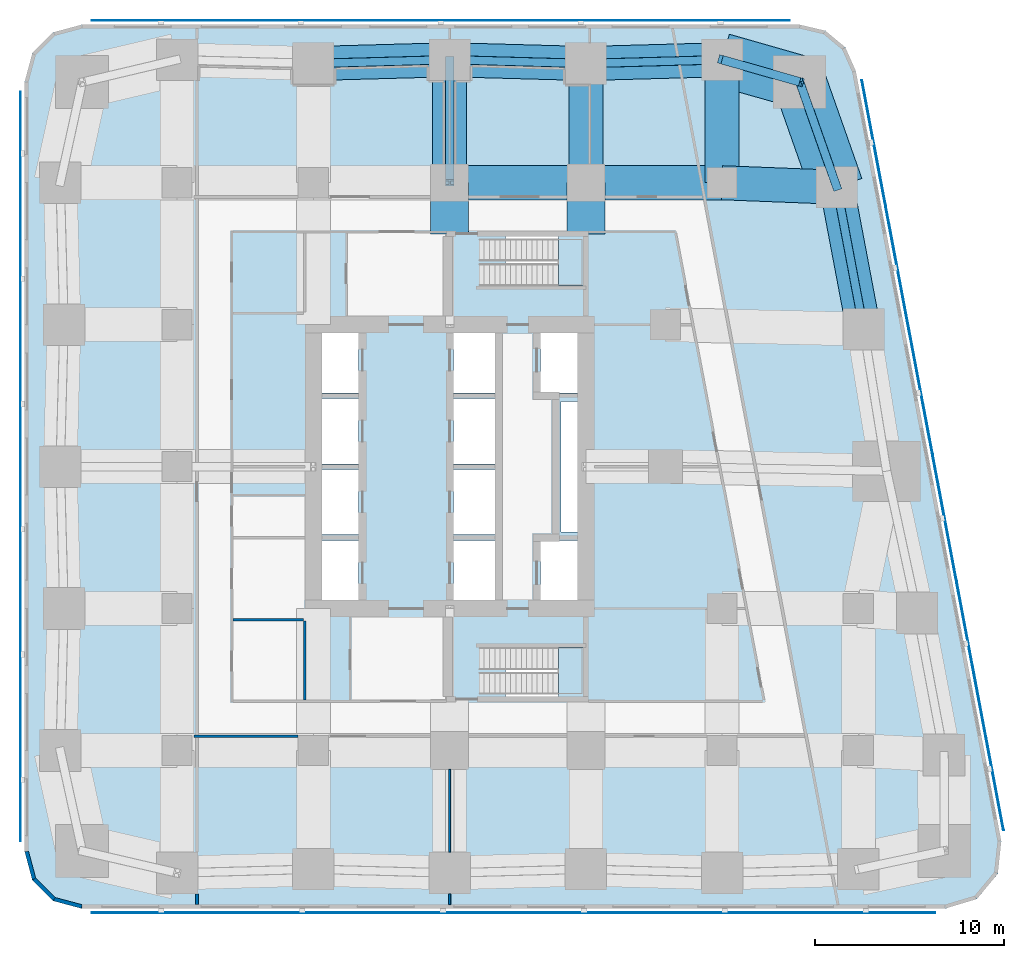
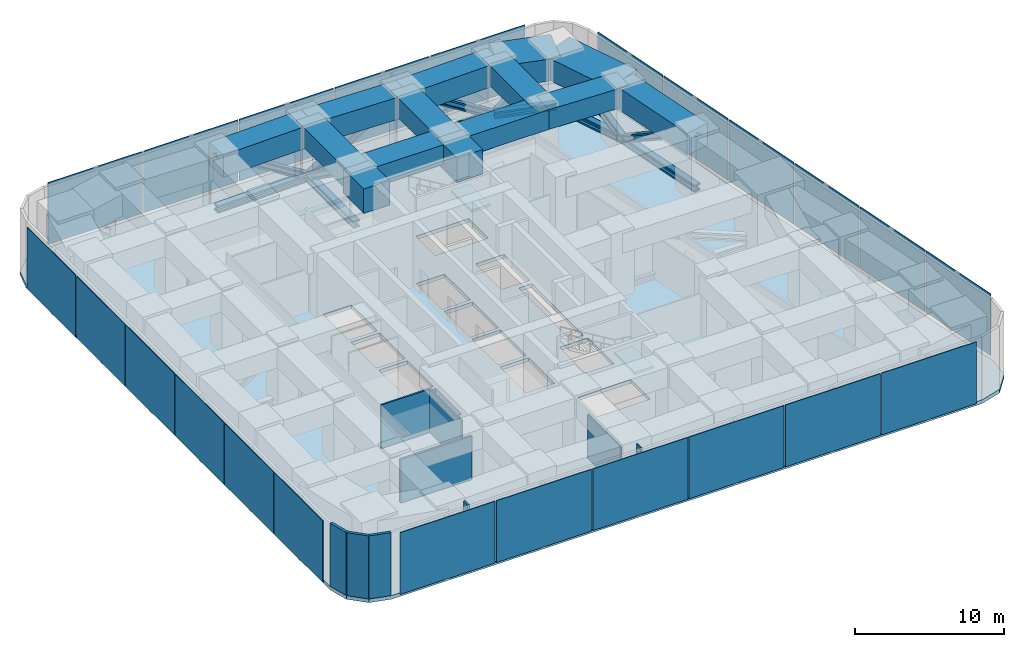
# One storey, part 3 of 10: 23 plates, 14 beams, 14 members, 9 walls, 3 slabs, 2 elements without a shape of their own.
"""IFC4 building model written with IfcOpenShell, lengths in metres."""

from ifc_helpers import new_model, si_unit, direction, frame, frame_2d, origin, origin_2d, place, context, subcontext, project, spatial, polyline, rectangle, i_section, outline, extrude, material, layer, layer_set, material_profile, profile_set, type_object, element, aggregate, save


model = new_model("IFC4")

# Units and contexts
model_context = context("Model", 3, precision=1e-05, world=origin(), true_north=direction((0.0, 1.0)))
body_context = subcontext(model_context, "Body", "Model", "MODEL_VIEW")
ifc_project = project(units=[si_unit("LENGTHUNIT", "METRE"), si_unit("AREAUNIT", "SQUARE_METRE"), si_unit("VOLUMEUNIT", "CUBIC_METRE"), si_unit("PLANEANGLEUNIT", "RADIAN"), si_unit("MASSUNIT", "GRAM", prefix="KILO")], contexts=[model_context])

# Site, building, storey
site_placement = place(None, origin())
site = spatial("IfcSite", under=ifc_project, at=site_placement, CompositionType="ELEMENT")
building_placement = place(site_placement, origin())
building = spatial("IfcBuilding", under=site, at=building_placement, Name="Sheger Commons Tower", CompositionType="ELEMENT")
storey_placement = place(building_placement, frame((0.0, 0.0, 130.39990234375)))
storey = spatial("IfcBuildingStorey", under=building, at=storey_placement, Name="L33", CompositionType="ELEMENT", Elevation=130.39990234375)

# Beams
ifc_material_1 = material(Name="Concrete C50/60", Category="concrete")
ifc_material_profile_1 = material_profile(ifc_material_1, rectangle(XDim=1.800048828125, YDim=1.60009765625, at=origin_2d()), Name="RC 1800x1600")
ifc_profile_set_1 = profile_set([ifc_material_profile_1], Name="Concrete C50/60")
beam_type_1 = type_object("IfcBeamType", Name="BEAM RC 1800x1600", PredefinedType="BEAM", material=ifc_profile_set_1)
for number, where, z_axis, x_axis, name in (
    (1, (21.60009765625, 37.5, 4.35009765625), (1.0, 0.0, 0.0), (0.0, 1.0, 0.0), "Beam 4/F-5/F under L34"),
    (2, (28.800048828125, 37.5, 4.35009765625), (1.0, 0.0, 0.0), (0.0, 1.0, 0.0), "Beam 5/F-6/F under L34"),
):
    element("IfcBeam", number, at=place(storey_placement, frame(where, z_axis=z_axis, x_axis=x_axis)), inside=storey, type_object=beam_type_1, Name=name, PredefinedType="BEAM", context=body_context, shape_type="SweptSolid", body=[
        extrude(rectangle(XDim=1.800048828125, YDim=1.60009765625, at=origin_2d()), origin(), (0.0, 0.0, 1.0), 7.199951171875),
    ])
beam_1_placement = place(storey_placement, frame((36.0, 37.5, 4.35009765625), z_axis=(0.99923673074, -0.039063486011, 0.0), x_axis=(0.039063486011, 0.99923673074, 0.0)))
element("IfcBeam", 3, at=beam_1_placement, inside=storey, type_object=beam_type_1, Name="Beam 6/F-E/F under L34", PredefinedType="BEAM", context=body_context, shape_type="SweptSolid", body=[
    extrude(rectangle(XDim=1.800048828125, YDim=1.60009765625, at=origin_2d()), origin(), (0.0, 0.0, 1.0), 6.068603515625),
])
beam_2_placement = place(storey_placement, frame((21.60009765625, 37.5, 4.35009765625), z_axis=(0.0, 1.0, 0.0), x_axis=(-1.0, 0.0, 0.0)))
element("IfcBeam", 4, at=beam_2_placement, inside=storey, type_object=beam_type_1, Name="Beam 4/F-4/G under L34", PredefinedType="BEAM", context=body_context, shape_type="SweptSolid", body=[
    extrude(rectangle(XDim=1.800048828125, YDim=1.60009765625, at=origin_2d()), origin(), (0.0, 0.0, 1.0), 6.5),
])
beam_3_placement = place(storey_placement, frame((28.800048828125, 37.5, 4.35009765625), z_axis=(0.0, 1.0, 0.0), x_axis=(-1.0, 0.0, 0.0)))
element("IfcBeam", 5, at=beam_3_placement, inside=storey, type_object=beam_type_1, Name="Beam 5/F-5/G under L34", PredefinedType="BEAM", context=body_context, shape_type="SweptSolid", body=[
    extrude(rectangle(XDim=1.800048828125, YDim=1.60009765625, at=origin_2d()), origin(), (0.0, 0.0, 1.0), 6.300048828125),
])
beam_4_placement = place(storey_placement, frame((36.0, 37.5, 4.35009765625), z_axis=(0.0, 1.0, 0.0), x_axis=(-1.0, 0.0, 0.0)))
element("IfcBeam", 6, at=beam_4_placement, inside=storey, type_object=beam_type_1, Name="Beam 6/F-6/G under L34", PredefinedType="BEAM", context=body_context, shape_type="SweptSolid", body=[
    extrude(rectangle(XDim=1.800048828125, YDim=1.60009765625, at=origin_2d()), origin(), (0.0, 0.0, 1.0), 6.5),
])
ifc_material_2 = material(Name="Concrete C50/60", Category="concrete")
ifc_material_profile_2 = material_profile(ifc_material_2, rectangle(XDim=2.0, YDim=2.0, at=origin_2d()), Name="RC 2000x2000")
ifc_profile_set_2 = profile_set([ifc_material_profile_2], Name="Concrete C50/60")
beam_type_2 = type_object("IfcBeamType", Name="BEAM RC 2000x2000", PredefinedType="BEAM", material=ifc_profile_set_2)
for number, where, z_axis, x_axis, name in (
    (7, (21.60009765625, 34.800048828125, 4.150146484375), (0.0, 1.0, 0.0), (-1.0, 0.0, 0.0), "Beam 21.600,34.800-4/F under L34"),
    (8, (28.800048828125, 34.800048828125, 4.150146484375), (0.0, 1.0, 0.0), (-1.0, 0.0, 0.0), "Beam 28.800,34.800-5/F under L34"),
):
    element("IfcBeam", number, at=place(storey_placement, frame(where, z_axis=z_axis, x_axis=x_axis)), inside=storey, type_object=beam_type_2, Name=name, PredefinedType="BEAM", context=body_context, shape_type="SweptSolid", body=[
        extrude(rectangle(XDim=2.0, YDim=2.0, at=origin_2d()), origin(), (0.0, 0.0, 1.0), 2.699951171875),
    ])

# Members
ifc_material_3 = material(Name="Steel S460", Category="steel")
ifc_material_profile_3 = material_profile(ifc_material_3, i_section(OverallWidth=0.4541015625, OverallDepth=0.569091796875, WebThickness=0.077880859375, FlangeThickness=0.125, at=origin_2d()), Name="HD 400x1086")
ifc_profile_set_3 = profile_set([ifc_material_profile_3], Name="Steel S460")
member_type_1 = type_object("IfcMemberType", Name="BRACE HD 400x1086", PredefinedType="BRACE", material=ifc_profile_set_3)
member_1_placement = place(storey_placement, frame((21.60009765625, 37.5, 4.85009765625), z_axis=(0.0, 0.819229029338, -0.5734664746), x_axis=(-1.0, 0.0, 0.0)))
element("IfcMember", 9, at=member_1_placement, inside=storey, type_object=member_type_1, Name="Outrigger N diagonal 2", PredefinedType="BRACE", context=body_context, shape_type="SweptSolid", body=[
    extrude(i_section(OverallWidth=0.4541015625, OverallDepth=0.569091796875, WebThickness=0.077880859375, FlangeThickness=0.125, at=origin_2d()), origin(), (0.0, 0.0, 1.0), 7.934326171875),
])
ifc_material_4 = material(Name="Steel S460", Category="steel")
ifc_material_profile_4 = material_profile(ifc_material_4, i_section(OverallWidth=0.44189453125, OverallDepth=0.531005859375, WebThickness=0.06591796875, FlangeThickness=0.10595703125, at=origin_2d()), Name="HD 400x900")
ifc_profile_set_4 = profile_set([ifc_material_profile_4], Name="Steel S460")
member_type_2 = type_object("IfcMemberType", Name="BRACE HD 400x900", PredefinedType="BRACE", material=ifc_profile_set_4)
member_2_placement = place(storey_placement, frame((42.06396484375, 37.262939453125, 0.300048828125), z_axis=(0.159356525965, -0.844040082352, 0.512056478346), x_axis=(0.982639655108, 0.18552441405, 0.0)))
element("IfcMember", 10, at=member_2_placement, inside=storey, type_object=member_type_2, Name="Belt truss diagonal 43.480,29.763-42.064,37.263", PredefinedType="BRACE", context=body_context, shape_type="SweptSolid", body=[
    extrude(i_section(OverallWidth=0.44189453125, OverallDepth=0.531005859375, WebThickness=0.06591796875, FlangeThickness=0.10595703125, at=origin_2d()), origin(), (0.0, 0.0, 1.0), 8.8857421875),
])
member_3_placement = place(storey_placement, frame((42.06396484375, 37.262939453125, 0.300048828125), z_axis=(-0.263243202566, 0.746980431571, 0.610510647862), x_axis=(-0.943147526102, -0.332374403357, 0.0)))
element("IfcMember", 11, at=member_3_placement, inside=storey, type_object=member_type_2, Name="Belt truss diagonal 42.064,37.263-40.102,42.830", PredefinedType="BRACE", context=body_context, shape_type="SweptSolid", body=[
    extrude(i_section(OverallWidth=0.44189453125, OverallDepth=0.531005859375, WebThickness=0.06591796875, FlangeThickness=0.10595703125, at=origin_2d()), origin(), (0.0, 0.0, 1.0), 7.452880859375),
])
member_4_placement = place(storey_placement, frame((36.0, 44.0, 0.300048828125), z_axis=(0.657710393497, -0.187581728701, 0.729541042947), x_axis=(0.274267541221, 0.961653428129, 0.0)))
element("IfcMember", 12, at=member_4_placement, inside=storey, type_object=member_type_2, Name="Belt truss diagonal 40.102,42.830-36.000,44.000", PredefinedType="BRACE", context=body_context, shape_type="SweptSolid", body=[
    extrude(i_section(OverallWidth=0.44189453125, OverallDepth=0.531005859375, WebThickness=0.06591796875, FlangeThickness=0.10595703125, at=origin_2d()), origin(), (0.0, 0.0, 1.0), 6.23681640625),
])
for number, where, z_axis, x_axis, name in (
    (13, (36.0, 44.0, 0.300048828125), (-0.845112299674, -0.023469769538, 0.534073375912), (0.027760481514, -0.999614603568, 0.0), "Belt truss diagonal 36.000,44.000-28.800,43.800"),
    (14, (21.60009765625, 44.0, 0.300048828125), (0.845112299674, -0.023469769538, 0.534073375912), (0.027760481514, 0.999614603568, 0.0), "Belt truss diagonal 28.800,43.800-21.600,44.000"),
):
    element("IfcMember", number, at=place(storey_placement, frame(where, z_axis=z_axis, x_axis=x_axis)), inside=storey, type_object=member_type_2, Name=name, PredefinedType="BRACE", context=body_context, shape_type="SweptSolid", body=[
        extrude(i_section(OverallWidth=0.44189453125, OverallDepth=0.531005859375, WebThickness=0.06591796875, FlangeThickness=0.10595703125, at=origin_2d()), origin(), (0.0, 0.0, 1.0), 8.51953125),
    ])
member_5_placement = place(storey_placement, frame((21.60009765625, 44.0, 0.300048828125), z_axis=(-0.845120489013, -0.023469201156, 0.534060441942), x_axis=(0.027759540951, -0.999614629688, 0.0)))
element("IfcMember", 15, at=member_5_placement, inside=storey, type_object=member_type_2, Name="Belt truss diagonal 21.600,44.000-14.400,43.800", PredefinedType="BRACE", context=body_context, shape_type="SweptSolid", body=[
    extrude(i_section(OverallWidth=0.44189453125, OverallDepth=0.531005859375, WebThickness=0.06591796875, FlangeThickness=0.10595703125, at=origin_2d()), origin(), (0.0, 0.0, 1.0), 8.519775390625),
])
ifc_material_5 = material(Name="Steel S460", Category="steel")
ifc_material_profile_5 = material_profile(ifc_material_5, i_section(OverallWidth=0.4541015625, OverallDepth=0.569091796875, WebThickness=0.077880859375, FlangeThickness=0.125, at=origin_2d()), Name="HD 400x1086")
ifc_profile_set_5 = profile_set([ifc_material_profile_5], Name="Steel S460")
member_type_3 = type_object("IfcMemberType", Name="CHORD HD 400x1086", PredefinedType="CHORD", material=ifc_profile_set_5)
member_6_placement = place(storey_placement, frame((43.47998046875, 29.762939453125, 0.300048828125), z_axis=(-0.18552441405, 0.982639655108, 0.0), x_axis=(-0.982639655108, -0.18552441405, 0.0)))
element("IfcMember", 16, at=member_6_placement, inside=storey, type_object=member_type_3, Name="Belt truss bottom chord 43.480,29.763-42.064,37.263", PredefinedType="CHORD", context=body_context, shape_type="SweptSolid", body=[
    extrude(i_section(OverallWidth=0.4541015625, OverallDepth=0.569091796875, WebThickness=0.077880859375, FlangeThickness=0.125, at=origin_2d()), origin(), (0.0, 0.0, 1.0), 7.632568359375),
])
member_7_placement = place(storey_placement, frame((42.06396484375, 37.262939453125, 0.300048828125), z_axis=(-0.332374403357, 0.943147526102, 0.0), x_axis=(-0.943147526102, -0.332374403357, 0.0)))
element("IfcMember", 17, at=member_7_placement, inside=storey, type_object=member_type_3, Name="Belt truss bottom chord 42.064,37.263-40.102,42.830", PredefinedType="CHORD", context=body_context, shape_type="SweptSolid", body=[
    extrude(i_section(OverallWidth=0.4541015625, OverallDepth=0.569091796875, WebThickness=0.077880859375, FlangeThickness=0.125, at=origin_2d()), origin(), (0.0, 0.0, 1.0), 5.90283203125),
])
member_8_placement = place(storey_placement, frame((40.10205078125, 42.830078125, 0.300048828125), z_axis=(-0.961653428129, 0.274267541221, 0.0), x_axis=(-0.274267541221, -0.961653428129, 0.0)))
element("IfcMember", 18, at=member_8_placement, inside=storey, type_object=member_type_3, Name="Belt truss bottom chord 40.102,42.830-36.000,44.000", PredefinedType="CHORD", context=body_context, shape_type="SweptSolid", body=[
    extrude(i_section(OverallWidth=0.4541015625, OverallDepth=0.569091796875, WebThickness=0.077880859375, FlangeThickness=0.125, at=origin_2d()), origin(), (0.0, 0.0, 1.0), 4.265625),
])
for number, where, z_axis, x_axis, name in (
    (19, (36.0, 44.0, 0.300048828125), (-0.999614603568, -0.027760481514, 0.0), (0.027760481514, -0.999614603568, 0.0), "Belt truss bottom chord 36.000,44.000-28.800,43.800"),
    (20, (28.800048828125, 43.800048828125, 0.300048828125), (-0.999614603568, 0.027760481514, 0.0), (-0.027760481514, -0.999614603568, 0.0), "Belt truss bottom chord 28.800,43.800-21.600,44.000"),
):
    element("IfcMember", number, at=place(storey_placement, frame(where, z_axis=z_axis, x_axis=x_axis)), inside=storey, type_object=member_type_3, Name=name, PredefinedType="CHORD", context=body_context, shape_type="SweptSolid", body=[
        extrude(i_section(OverallWidth=0.4541015625, OverallDepth=0.569091796875, WebThickness=0.077880859375, FlangeThickness=0.125, at=origin_2d()), origin(), (0.0, 0.0, 1.0), 7.20263671875),
    ])
member_9_placement = place(storey_placement, frame((21.60009765625, 44.0, 0.300048828125), z_axis=(-0.999614629688, -0.027759540951, 0.0), x_axis=(0.027759540951, -0.999614629688, 0.0)))
element("IfcMember", 21, at=member_9_placement, inside=storey, type_object=member_type_3, Name="Belt truss bottom chord 21.600,44.000-14.400,43.800", PredefinedType="CHORD", context=body_context, shape_type="SweptSolid", body=[
    extrude(i_section(OverallWidth=0.4541015625, OverallDepth=0.569091796875, WebThickness=0.077880859375, FlangeThickness=0.125, at=origin_2d()), origin(), (0.0, 0.0, 1.0), 7.202880859375),
])
member_10_placement = place(storey_placement, frame((21.60009765625, 37.5, 0.300048828125), z_axis=(0.0, 1.0, 0.0), x_axis=(-1.0, 0.0, 0.0)))
element("IfcMember", 22, at=member_10_placement, inside=storey, type_object=member_type_3, Name="Outrigger N bottom chord 4/F-21.600,44.000", PredefinedType="CHORD", context=body_context, shape_type="SweptSolid", body=[
    extrude(i_section(OverallWidth=0.4541015625, OverallDepth=0.569091796875, WebThickness=0.077880859375, FlangeThickness=0.125, at=origin_2d()), origin(), (0.0, 0.0, 1.0), 6.5),
])

# Beams
ifc_material_6 = material(Name="Concrete C50/60", Category="concrete")
ifc_material_profile_6 = material_profile(ifc_material_6, rectangle(XDim=1.800048828125, YDim=1.800048828125, at=origin_2d()), Name="RC 1800x1800")
ifc_profile_set_6 = profile_set([ifc_material_profile_6], Name="Concrete C50/60")
beam_type_3 = type_object("IfcBeamType", Name="SPANDREL RC 1800x1800", PredefinedType="SPANDREL", material=ifc_profile_set_6)
beam_5_placement = place(storey_placement, frame((43.47998046875, 29.762939453125, 4.25), z_axis=(-0.18552441405, 0.982639655108, 0.0), x_axis=(-0.982639655108, -0.18552441405, 0.0)))
element("IfcBeam", 23, at=beam_5_placement, inside=storey, type_object=beam_type_3, Name="Beam E/E-E/F under L34", PredefinedType="SPANDREL", context=body_context, shape_type="SweptSolid", body=[
    extrude(rectangle(XDim=1.800048828125, YDim=1.800048828125, at=origin_2d()), origin(), (0.0, 0.0, 1.0), 7.632568359375),
])
for number, where, z_axis, x_axis, name in (
    (24, (36.0, 44.0, 4.25), (-0.999614603568, -0.027760481514, 0.0), (0.027760481514, -0.999614603568, 0.0), "Beam 6/G-5/G under L34"),
    (25, (28.800048828125, 43.800048828125, 4.25), (-0.999614603568, 0.027760481514, 0.0), (-0.027760481514, -0.999614603568, 0.0), "Beam 5/G-4/G under L34"),
):
    element("IfcBeam", number, at=place(storey_placement, frame(where, z_axis=z_axis, x_axis=x_axis)), inside=storey, type_object=beam_type_3, Name=name, PredefinedType="SPANDREL", context=body_context, shape_type="SweptSolid", body=[
        extrude(rectangle(XDim=1.800048828125, YDim=1.800048828125, at=origin_2d()), origin(), (0.0, 0.0, 1.0), 7.20263671875),
    ])
beam_6_placement = place(storey_placement, frame((21.60009765625, 44.0, 4.25), z_axis=(-0.999614629688, -0.027759540951, 0.0), x_axis=(0.027759540951, -0.999614629688, 0.0)))
element("IfcBeam", 26, at=beam_6_placement, inside=storey, type_object=beam_type_3, Name="Beam 4/G-3/G under L34", PredefinedType="SPANDREL", context=body_context, shape_type="SweptSolid", body=[
    extrude(rectangle(XDim=1.800048828125, YDim=1.800048828125, at=origin_2d()), origin(), (0.0, 0.0, 1.0), 7.202880859375),
])
ifc_material_7 = material(Name="Concrete C50/60", Category="concrete")
ifc_material_profile_7 = material_profile(ifc_material_7, rectangle(XDim=2.800048828125, YDim=1.800048828125, at=origin_2d()), Name="RC 2800x1800")
ifc_profile_set_7 = profile_set([ifc_material_profile_7], Name="Concrete C50/60")
beam_type_4 = type_object("IfcBeamType", Name="SPANDREL RC 2800x1800", PredefinedType="SPANDREL", material=ifc_profile_set_7)
beam_7_placement = place(storey_placement, frame((42.06396484375, 37.262939453125, 4.25), z_axis=(-0.332374403357, 0.943147526102, 0.0), x_axis=(-0.943147526102, -0.332374403357, 0.0)))
element("IfcBeam", 27, at=beam_7_placement, inside=storey, type_object=beam_type_4, Name="Beam E/F-41.490,44.505 under L34", PredefinedType="SPANDREL", context=body_context, shape_type="SweptSolid", body=[
    extrude(rectangle(XDim=2.800048828125, YDim=1.800048828125, at=origin_2d()), origin(), (0.0, 0.0, 1.0), 5.90283203125),
])
beam_8_placement = place(storey_placement, frame((40.10205078125, 42.830078125, 4.25), z_axis=(-0.961653428129, 0.274267541221, 0.0), x_axis=(-0.274267541221, -0.961653428129, 0.0)))
element("IfcBeam", 28, at=beam_8_placement, inside=storey, type_object=beam_type_4, Name="Beam 41.490,44.505-6/G under L34", PredefinedType="SPANDREL", context=body_context, shape_type="SweptSolid", body=[
    extrude(rectangle(XDim=2.800048828125, YDim=1.800048828125, at=origin_2d()), origin(), (0.0, 0.0, 1.0), 4.265625),
])

# Slab
ifc_material_8 = material(Name="Concrete C35/45", Category="concrete")
ifc_layer_1 = layer(ifc_material_8, 0.300048828125)
ifc_layer_set_1 = layer_set([ifc_layer_1], Name="SLAB FLOOR 300")
slab_type_1 = type_object("IfcSlabType", Name="SLAB FLOOR 300", PredefinedType="FLOOR", material=ifc_layer_set_1)
slab_1_placement = place(storey_placement, frame((0.0, 0.0, -0.2998046875)))
element("IfcSlab", 29, at=slab_1_placement, inside=storey, type_object=slab_type_1, Name="L33 floor slab", PredefinedType="FLOOR", context=body_context, shape_type="SweptSolid", body=[
    extrude(outline(polyline([(-0.85009765625, 2.14990234375), (-0.447998046875, 0.64990234375), (0.64990234375, -0.447998046875), (2.14990234375, -0.85009765625), (47.805908203125, -0.85009765625), (49.465087890625, -0.35009765625), (50.570068359375, 0.98388671875), (50.75390625, 2.70703125), (43.06591796875, 43.406982421875), (42.509033203125, 44.660888671875), (41.452880859375, 45.535888671875), (40.117919921875, 45.85009765625), (2.14990234375, 45.85009765625), (0.64990234375, 45.447998046875), (-0.447998046875, 44.35009765625), (-0.85009765625, 42.85009765625), (-0.85009765625, 2.14990234375)]), holes=[polyline([(24.550048828125, 10.35009765625), (28.64990234375, 10.35009765625), (28.64990234375, 12.949951171875), (24.551025390625, 12.949951171875), (24.551025390625, 11.75), (24.550048828125, 11.75), (24.550048828125, 10.35009765625)]), polyline([(24.551025390625, 32.050048828125), (28.64990234375, 32.050048828125), (28.64990234375, 34.64990234375), (24.550048828125, 34.64990234375), (24.550048828125, 33.25), (24.551025390625, 33.25), (24.551025390625, 32.050048828125)]), polyline([(26.39990234375, 15.14990234375), (28.60009765625, 15.14990234375), (28.60009765625, 18.60009765625), (26.39990234375, 18.60009765625), (26.39990234375, 15.14990234375)]), polyline([(26.39990234375, 26.39990234375), (28.60009765625, 26.39990234375), (28.60009765625, 29.85009765625), (26.39990234375, 29.85009765625), (26.39990234375, 26.39990234375)]), polyline([(14.60009765625, 15.14990234375), (16.800048828125, 15.14990234375), (16.800048828125, 18.60009765625), (14.60009765625, 18.60009765625), (14.60009765625, 15.14990234375)]), polyline([(14.60009765625, 18.89990234375), (16.800048828125, 18.89990234375), (16.800048828125, 22.35009765625), (14.60009765625, 22.35009765625), (14.60009765625, 18.89990234375)]), polyline([(14.60009765625, 22.64990234375), (16.800048828125, 22.64990234375), (16.800048828125, 26.10009765625), (14.60009765625, 26.10009765625), (14.60009765625, 22.64990234375)]), polyline([(14.60009765625, 26.39990234375), (16.800048828125, 26.39990234375), (16.800048828125, 29.85009765625), (14.60009765625, 29.85009765625), (14.60009765625, 26.39990234375)]), polyline([(21.800048828125, 15.14990234375), (24.0, 15.14990234375), (24.0, 18.60009765625), (21.800048828125, 18.60009765625), (21.800048828125, 15.14990234375)]), polyline([(21.800048828125, 18.89990234375), (24.0, 18.89990234375), (24.0, 22.35009765625), (21.800048828125, 22.35009765625), (21.800048828125, 18.89990234375)]), polyline([(21.800048828125, 22.64990234375), (24.0, 22.64990234375), (24.0, 26.10009765625), (21.800048828125, 26.10009765625), (21.800048828125, 22.64990234375)]), polyline([(21.800048828125, 26.39990234375), (24.0, 26.39990234375), (24.0, 29.85009765625), (21.800048828125, 29.85009765625), (21.800048828125, 26.39990234375)]), polyline([(27.5, 19.050048828125), (28.5, 19.050048828125), (28.5, 25.949951171875), (27.5, 25.949951171875), (27.5, 19.050048828125)])]), origin(), (0.0, 0.0, 1.0), 0.2998046875),
])

# Plates
ifc_material_9 = material(Name="Perforated black anodised aluminium screen", Category="aluminium")
ifc_layer_2 = layer(ifc_material_9, 0.050048828125)
ifc_layer_set_2 = layer_set([ifc_layer_2], Name="SOLAR SCREEN SCREEN-1")
plate_type = type_object("IfcPlateType", Name="SOLAR SCREEN SCREEN-1", PredefinedType="USERDEFINED", material=ifc_layer_set_2)
for number, where, z_axis, x_axis, name in (
    (30, (6.37109375, -1.074951171875, 0.05029296875), (0.0, 0.0, 1.0), (1.0, 0.0, 0.0), "Perforated solar screen panel"),
    (31, (13.81396484375, -1.074951171875, 0.05029296875), (0.0, 0.0, 1.0), (1.0, 0.0, 0.0), "Perforated solar screen panel"),
    (32, (21.257080078125, -1.074951171875, 0.05029296875), (0.0, 0.0, 1.0), (1.0, 0.0, 0.0), "Perforated solar screen panel"),
    (33, (28.698974609375, -1.074951171875, 0.05029296875), (0.0, 0.0, 1.0), (1.0, 0.0, 0.0), "Perforated solar screen panel"),
    (34, (36.14208984375, -1.074951171875, 0.05029296875), (0.0, 0.0, 1.0), (1.0, 0.0, 0.0), "Perforated solar screen panel"),
    (35, (43.5849609375, -1.074951171875, 0.05029296875), (0.0, 0.0, 1.0), (1.0, 0.0, 0.0), "Perforated solar screen panel"),
):
    element("IfcPlate", number, at=place(storey_placement, frame(where, z_axis=z_axis, x_axis=x_axis)), inside=storey, type_object=plate_type, Name=name, ObjectType="SCREEN", PredefinedType="USERDEFINED", context=body_context, shape_type="SweptSolid", body=[
        extrude(rectangle(XDim=7.343017578125, YDim=0.050048828125, at=origin_2d()), origin(), (0.0, 0.0, 1.0), 5.050048828125),
    ])
for number, where, z_axis, x_axis, name in (
    (36, (50.257080078125, 6.550048828125, 0.05029296875), (0.0, 0.0, 1.0), (-0.185615165645, 0.982622516678, 0.0), "Perforated solar screen panel"),
    (37, (49.007080078125, 13.1689453125, 0.05029296875), (0.0, 0.0, 1.0), (-0.185615165645, 0.982622516678, 0.0), "Perforated solar screen panel"),
    (38, (47.756103515625, 19.7890625, 0.05029296875), (0.0, 0.0, 1.0), (-0.185615165645, 0.982622516678, 0.0), "Perforated solar screen panel"),
    (39, (46.506103515625, 26.408935546875, 0.05029296875), (0.0, 0.0, 1.0), (-0.185615165645, 0.982622516678, 0.0), "Perforated solar screen panel"),
    (40, (45.2548828125, 33.028076171875, 0.05029296875), (0.0, 0.0, 1.0), (-0.185615165645, 0.982622516678, 0.0), "Perforated solar screen panel"),
    (41, (44.0048828125, 39.64794921875, 0.05029296875), (0.0, 0.0, 1.0), (-0.185615165645, 0.982622516678, 0.0), "Perforated solar screen panel"),
):
    element("IfcPlate", number, at=place(storey_placement, frame(where, z_axis=z_axis, x_axis=x_axis)), inside=storey, type_object=plate_type, Name=name, ObjectType="SCREEN", PredefinedType="USERDEFINED", context=body_context, shape_type="SweptSolid", body=[
        extrude(rectangle(XDim=6.636962890625, YDim=0.050048828125, at=origin_2d()), origin(), (0.0, 0.0, 1.0), 5.050048828125),
    ])
for number, where, z_axis, x_axis, name in (
    (42, (35.9208984375, 46.074951171875, 0.05029296875), (0.0, 0.0, 1.0), (-1.0, 0.0, 0.0), "Perforated solar screen panel"),
    (43, (28.528076171875, 46.074951171875, 0.05029296875), (0.0, 0.0, 1.0), (-1.0, 0.0, 0.0), "Perforated solar screen panel"),
    (44, (21.134033203125, 46.074951171875, 0.05029296875), (0.0, 0.0, 1.0), (-1.0, 0.0, 0.0), "Perforated solar screen panel"),
    (45, (13.739990234375, 46.074951171875, 0.05029296875), (0.0, 0.0, 1.0), (-1.0, 0.0, 0.0), "Perforated solar screen panel"),
    (46, (6.346923828125, 46.074951171875, 0.05029296875), (0.0, 0.0, 1.0), (-1.0, 0.0, 0.0), "Perforated solar screen panel"),
):
    element("IfcPlate", number, at=place(storey_placement, frame(where, z_axis=z_axis, x_axis=x_axis)), inside=storey, type_object=plate_type, Name=name, ObjectType="SCREEN", PredefinedType="USERDEFINED", context=body_context, shape_type="SweptSolid", body=[
        extrude(rectangle(XDim=7.2939453125, YDim=0.050048828125, at=origin_2d()), origin(), (0.0, 0.0, 1.0), 5.050048828125),
    ])
for number, where, z_axis, x_axis, name in (
    (47, (-1.074951171875, 39.0419921875, 0.05029296875), (0.0, 0.0, 1.0), (0.0, -1.0, 0.0), "Perforated solar screen panel"),
    (48, (-1.074951171875, 32.425048828125, 0.05029296875), (0.0, 0.0, 1.0), (0.0, -1.0, 0.0), "Perforated solar screen panel"),
    (49, (-1.074951171875, 25.80810546875, 0.05029296875), (0.0, 0.0, 1.0), (0.0, -1.0, 0.0), "Perforated solar screen panel"),
    (50, (-1.074951171875, 19.19189453125, 0.05029296875), (0.0, 0.0, 1.0), (0.0, -1.0, 0.0), "Perforated solar screen panel"),
    (51, (-1.074951171875, 12.574951171875, 0.05029296875), (0.0, 0.0, 1.0), (0.0, -1.0, 0.0), "Perforated solar screen panel"),
    (52, (-1.074951171875, 5.9580078125, 0.05029296875), (0.0, 0.0, 1.0), (0.0, -1.0, 0.0), "Perforated solar screen panel"),
):
    element("IfcPlate", number, at=place(storey_placement, frame(where, z_axis=z_axis, x_axis=x_axis)), inside=storey, type_object=plate_type, Name=name, ObjectType="SCREEN", PredefinedType="USERDEFINED", context=body_context, shape_type="SweptSolid", body=[
        extrude(rectangle(XDim=6.51708984375, YDim=0.050048828125, at=origin_2d()), origin(), (0.0, 0.0, 1.0), 5.050048828125),
    ])

# Stair, slab
ifc_material_10 = material(Name="Concrete C35/45", Category="concrete")
stair_type = type_object("IfcStairType", Name="HALF-TURN STAIR 1200 RISE 5400", PredefinedType="HALF_TURN_STAIR", material=ifc_material_10)
stair_1_placement = place(storey_placement, origin())
stair_1 = element("IfcStair", 53, at=stair_1_placement, inside=storey, type_object=stair_type, Name="Stair S1 L33", PredefinedType="HALF_TURN_STAIR")
ifc_material_11 = material(Name="Concrete C35/45", Category="concrete")
ifc_layer_3 = layer(ifc_material_11, 0.199951171875)
ifc_layer_set_3 = layer_set([ifc_layer_3], Name="STAIR LANDING 200")
slab_type_2 = type_object("IfcSlabType", Name="STAIR LANDING 200", PredefinedType="LANDING", material=ifc_layer_set_3)
slab_2_placement = place(storey_placement, frame((0.0, 0.0, 2.5)))
slab_2 = element("IfcSlab", 54, at=slab_2_placement, type_object=slab_type_2, Name="S1 landing 1", PredefinedType="LANDING", context=body_context, shape_type="SweptSolid", body=[
    extrude(outline(polyline([(27.35009765625, 10.199951171875), (28.800048828125, 10.199951171875), (28.800048828125, 12.949951171875), (27.35009765625, 12.949951171875), (27.35009765625, 10.199951171875)])), origin(), (0.0, 0.0, 1.0), 0.2001953125),
])
aggregate(stair_1, [slab_2])

stair_2_placement = place(storey_placement, origin())
stair_2 = element("IfcStair", 55, at=stair_2_placement, inside=storey, type_object=stair_type, Name="Stair S2 L33", PredefinedType="HALF_TURN_STAIR")
slab_3_placement = place(storey_placement, frame((0.0, 0.0, 2.5)))
slab_3 = element("IfcSlab", 56, at=slab_3_placement, type_object=slab_type_2, Name="S2 landing 1", PredefinedType="LANDING", context=body_context, shape_type="SweptSolid", body=[
    extrude(outline(polyline([(27.35009765625, 32.050048828125), (28.800048828125, 32.050048828125), (28.800048828125, 34.800048828125), (27.35009765625, 34.800048828125), (27.35009765625, 32.050048828125)])), origin(), (0.0, 0.0, 1.0), 0.2001953125),
])
aggregate(stair_2, [slab_3])

# Walls
ifc_material_12 = material(Name="Hollow concrete block masonry, skimmed both sides", Category="masonry")
ifc_layer_4 = layer(ifc_material_12, 0.14990234375)
ifc_layer_set_4 = layer_set([ifc_layer_4], Name="CORRIDOR WALL 150")
wall_type_1 = type_object("IfcWallType", Name="CORRIDOR WALL 150", PredefinedType="SOLIDWALL", material=ifc_layer_set_4)
wall_1_placement = place(storey_placement, frame((8.25, -0.64990234375, 0.0), z_axis=(0.0, 0.0, 1.0), x_axis=(0.0, 1.0, 0.0)))
element("IfcWall", 57, at=wall_1_placement, inside=storey, type_object=wall_type_1, Name="Corridor wall L33", PredefinedType="SOLIDWALL", context=body_context, shape_type="SweptSolid", body=[
    extrude(rectangle(XDim=0.573974609375, YDim=0.14990234375, at=frame_2d((0.287109375, 0.0))), origin(), (0.0, 0.0, 1.0), 5.150146484375),
])
wall_2_placement = place(storey_placement, frame((13.59912109375, 8.25, 0.0), z_axis=(0.0, 0.0, 1.0), x_axis=(-1.0, 0.0, 0.0)))
element("IfcWall", 58, at=wall_2_placement, inside=storey, type_object=wall_type_1, Name="Corridor wall L33", PredefinedType="SOLIDWALL", context=body_context, shape_type="SweptSolid", body=[
    extrude(rectangle(XDim=5.4990234375, YDim=0.14990234375, at=frame_2d((2.74951171875, 0.0))), origin(), (0.0, 0.0, 1.0), 3.550048828125),
])
ifc_material_13 = material(Name="Rendered concrete block masonry, dark grey", Category="masonry")
ifc_layer_5 = layer(ifc_material_13, 0.199951171875)
ifc_layer_set_5 = layer_set([ifc_layer_5], Name="FACADE WALL 200")
wall_type_2 = type_object("IfcWallType", Name="FACADE WALL 200", PredefinedType="SOLIDWALL", material=ifc_layer_set_5)
wall_3_placement = place(storey_placement, frame((-0.75, 2.1630859375, 0.0), z_axis=(0.0, 0.0, 1.0), x_axis=(0.259168954497, -0.965832000415, 0.0)))
element("IfcWall", 59, at=wall_3_placement, inside=storey, type_object=wall_type_2, Name="Facade wall L33", PredefinedType="SOLIDWALL", context=body_context, shape_type="SweptSolid", body=[
    extrude(rectangle(XDim=1.512939453125, YDim=0.199951171875, at=frame_2d((0.75634765625, 0.0))), origin(), (0.0, 0.0, 1.0), 5.150146484375),
])
wall_4_placement = place(storey_placement, frame((-0.35791015625, 0.701904296875, 0.0), z_axis=(0.0, 0.0, 1.0), x_axis=(0.707106781187, -0.707106781187, 0.0)))
element("IfcWall", 60, at=wall_4_placement, inside=storey, type_object=wall_type_2, Name="Facade wall L33", PredefinedType="SOLIDWALL", context=body_context, shape_type="SweptSolid", body=[
    extrude(rectangle(XDim=1.498779296875, YDim=0.199951171875, at=frame_2d((0.74951171875, 0.0))), origin(), (0.0, 0.0, 1.0), 5.150146484375),
])
wall_5_placement = place(storey_placement, frame((0.701904296875, -0.35791015625, 0.0), z_axis=(0.0, 0.0, 1.0), x_axis=(0.965832000415, -0.259168954497, 0.0)))
element("IfcWall", 61, at=wall_5_placement, inside=storey, type_object=wall_type_2, Name="Facade wall L33", PredefinedType="SOLIDWALL", context=body_context, shape_type="SweptSolid", body=[
    extrude(rectangle(XDim=1.512939453125, YDim=0.199951171875, at=frame_2d((0.75634765625, 0.0))), origin(), (0.0, 0.0, 1.0), 5.150146484375),
])
ifc_material_14 = material(Name="Gypsum board on steel studs", Category="steel")
ifc_layer_6 = layer(ifc_material_14, 0.10009765625)
ifc_layer_set_6 = layer_set([ifc_layer_6], Name="PARTITION 100")
wall_type_3 = type_object("IfcWallType", Name="PARTITION 100", PredefinedType="PARTITIONING", material=ifc_layer_set_6)
wall_6_placement = place(storey_placement, frame((21.60009765625, -0.64990234375, 0.0), z_axis=(0.0, 0.0, 1.0), x_axis=(0.0, 1.0, 0.0)))
element("IfcWall", 62, at=wall_6_placement, inside=storey, type_object=wall_type_3, Name="Partition L33", PredefinedType="PARTITIONING", context=body_context, shape_type="SweptSolid", body=[
    extrude(rectangle(XDim=0.573974609375, YDim=0.10009765625, at=frame_2d((0.287109375, 0.0))), origin(), (0.0, 0.0, 1.0), 5.150146484375),
])
wall_7_placement = place(storey_placement, frame((21.60009765625, 2.1259765625, 0.0), z_axis=(0.0, 0.0, 1.0), x_axis=(0.0, 1.0, 0.0)))
element("IfcWall", 63, at=wall_7_placement, inside=storey, type_object=wall_type_3, Name="Partition L33", PredefinedType="PARTITIONING", context=body_context, shape_type="SweptSolid", body=[
    extrude(rectangle(XDim=4.373046875, YDim=0.10009765625, at=frame_2d((2.1865234375, 0.0))), origin(), (0.0, 0.0, 1.0), 3.550048828125),
])
ifc_material_15 = material(Name="Gypsum board on steel studs, two layers each side, fire rated", Category="steel")
ifc_layer_7 = layer(ifc_material_15, 0.125)
ifc_layer_set_7 = layer_set([ifc_layer_7], Name="SERVICE WALL 125")
wall_type_4 = type_object("IfcWallType", Name="SERVICE WALL 125", PredefinedType="PARTITIONING", material=ifc_layer_set_7)
wall_8_placement = place(storey_placement, frame((10.1630859375, 14.39990234375, 0.0), z_axis=(0.0, 0.0, 1.0), x_axis=(1.0, 0.0, 0.0)))
element("IfcWall", 64, at=wall_8_placement, inside=storey, type_object=wall_type_4, Name="Service room wall L33", PredefinedType="PARTITIONING", context=body_context, shape_type="SweptSolid", body=[
    extrude(rectangle(XDim=3.724853515625, YDim=0.125, at=frame_2d((1.8623046875, 0.0))), origin(), (0.0, 0.0, 1.0), 3.550048828125),
])
wall_9_placement = place(storey_placement, frame((13.949951171875, 10.1630859375, 0.0), z_axis=(0.0, 0.0, 1.0), x_axis=(0.0, 1.0, 0.0)))
element("IfcWall", 65, at=wall_9_placement, inside=storey, type_object=wall_type_4, Name="Service room wall L33", PredefinedType="PARTITIONING", context=body_context, shape_type="SweptSolid", body=[
    extrude(rectangle(XDim=4.1748046875, YDim=0.125, at=frame_2d((2.08740234375, 0.0))), origin(), (0.0, 0.0, 1.0), 3.550048828125),
])

save(model, "model.ifc")
